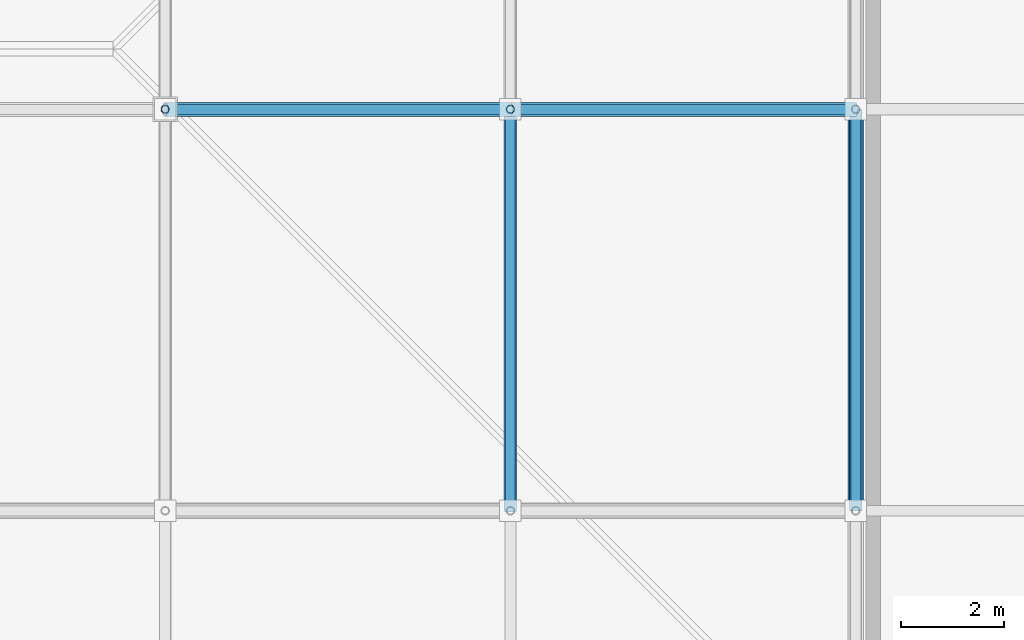
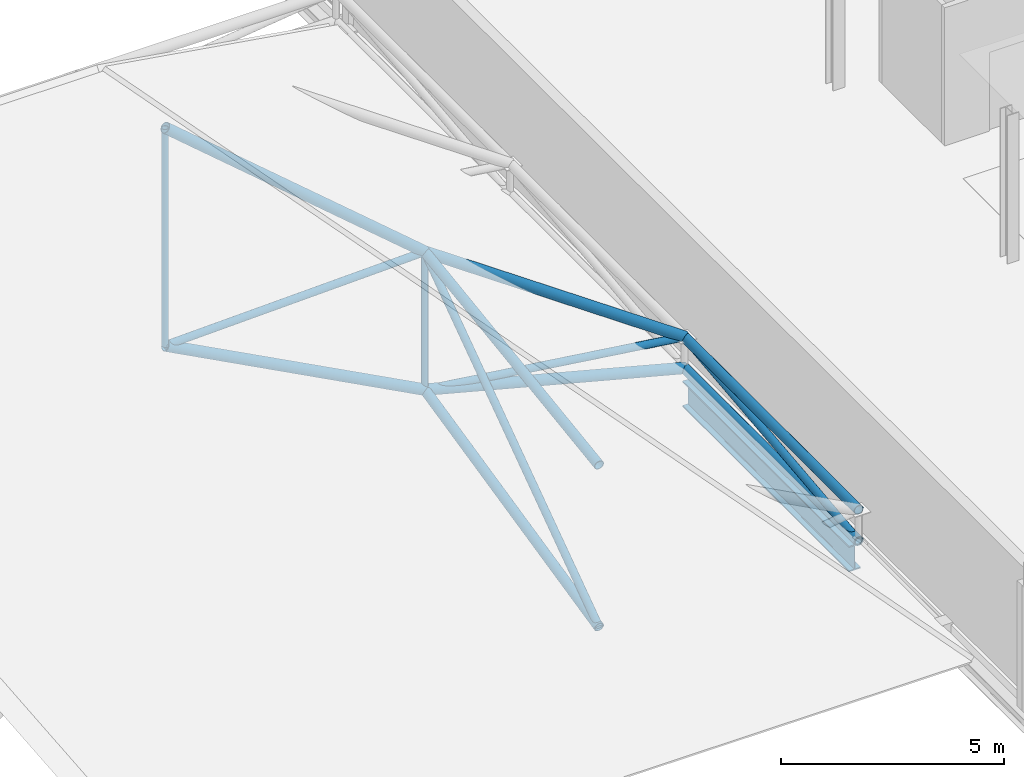
# One storey, part 34 of 77: 14 members, 1 beam.
"""IFC4 building model written with IfcOpenShell, lengths in metres."""

from ifc_helpers import new_model, si_unit, direction, frame, origin, origin_2d, place, context, subcontext, project, spatial, hollow_circle, i_section, extrude, material, material_profile, profile_set, type_object, element, save


model = new_model("IFC4")

# Units and contexts
model_context = context("Model", 3, precision=1e-05, world=origin(), true_north=direction((0.0, 1.0)))
body_context = subcontext(model_context, "Body", "Model", "MODEL_VIEW")
ifc_project = project(units=[si_unit("LENGTHUNIT", "METRE"), si_unit("AREAUNIT", "SQUARE_METRE"), si_unit("VOLUMEUNIT", "CUBIC_METRE"), si_unit("PLANEANGLEUNIT", "RADIAN"), si_unit("MASSUNIT", "GRAM", prefix="KILO")], contexts=[model_context])

# Site, building, storey
site_placement = place(None, origin())
site = spatial("IfcSite", under=ifc_project, at=site_placement, CompositionType="ELEMENT")
building_placement = place(site_placement, origin())
building = spatial("IfcBuilding", under=site, at=building_placement, Name="Nabrawat Pavilion Hospital", CompositionType="ELEMENT")
storey_placement = place(building_placement, frame((0.0, 0.0, 14.85009765625)))
storey = spatial("IfcBuildingStorey", under=building, at=storey_placement, Name="L03", CompositionType="ELEMENT", Elevation=14.85009765625)

# Beam
ifc_material = material(Name="Steel S355", Category="steel")
ifc_material_profile_1 = material_profile(ifc_material, i_section(OverallWidth=0.300048828125, OverallDepth=0.699951171875, WebThickness=0.01708984375, FlangeThickness=0.031982421875, FilletRadius=0.027099609375, at=origin_2d()), Name="HEB 700")
ifc_profile_set_1 = profile_set([ifc_material_profile_1], Name="Steel S355")
beam_type = type_object("IfcBeamType", Name="Main Hall Space-Frame Perimeter Ring Girder HEB 700", PredefinedType="USERDEFINED", material=ifc_profile_set_1)
beam_placement = place(storey_placement, frame((126.0, 15.773193359375, -0.60009765625), z_axis=(0.0, 1.0, 0.0), x_axis=(-1.0, 0.0, 0.0)))
element("IfcBeam", 1, at=beam_placement, inside=storey, type_object=beam_type, Name="L03 Main Hall Space-Frame Perimeter Ring Girder 1626", ObjectType="GIRDER", PredefinedType="USERDEFINED", context=body_context, shape_type="SweptSolid", body=[
    extrude(i_section(OverallWidth=0.300048828125, OverallDepth=0.699951171875, WebThickness=0.01708984375, FlangeThickness=0.031982421875, FilletRadius=0.027099609375, at=origin_2d()), origin(), (0.0, 0.0, 1.0), 7.45361328125),
])

# Members
ifc_material_profile_2 = material_profile(ifc_material, hollow_circle(Radius=0.136474609375, WallThickness=0.012451171875, at=origin_2d()), Name="CHS 273x12.5")
ifc_profile_set_2 = profile_set([ifc_material_profile_2], Name="Steel S355")
member_type_1 = type_object("IfcMemberType", Name="Space Frame Primary Chord CHS 273x12.5", PredefinedType="CHORD", material=ifc_profile_set_2)
member_1_placement = place(storey_placement, frame((112.583984375, 23.39990234375, 11.2099609375), z_axis=(0.760128837564, 0.0, -0.649772383457), x_axis=(0.0, 1.0, 0.0)))
element("IfcMember", 2, at=member_1_placement, inside=storey, type_object=member_type_1, Name="Space Frame Chord Top X 0208", PredefinedType="CHORD", context=body_context, shape_type="SweptSolid", body=[
    extrude(hollow_circle(Radius=0.136474609375, WallThickness=0.012451171875, at=origin_2d()), origin(), (0.0, 0.0, 1.0), 8.824951171875),
])
member_2_placement = place(storey_placement, frame((112.583984375, 23.39990234375, 5.260498046875), z_axis=(0.883563319524, 0.0, -0.468311712849), x_axis=(0.0, 1.0, 0.0)))
element("IfcMember", 3, at=member_2_placement, inside=storey, type_object=member_type_1, Name="Space Frame Chord Bottom X 0209", PredefinedType="CHORD", context=body_context, shape_type="SweptSolid", body=[
    extrude(hollow_circle(Radius=0.136474609375, WallThickness=0.012451171875, at=origin_2d()), origin(), (0.0, 0.0, 1.0), 7.592041015625),
])
member_3_placement = place(storey_placement, frame((119.2919921875, 23.39990234375, 5.475830078125), z_axis=(0.820355297851, 0.0, -0.571854164352), x_axis=(0.0, 1.0, 0.0)))
element("IfcMember", 4, at=member_3_placement, inside=storey, type_object=member_type_1, Name="Space Frame Chord Top X 0233", PredefinedType="CHORD", context=body_context, shape_type="SweptSolid", body=[
    extrude(hollow_circle(Radius=0.136474609375, WallThickness=0.012451171875, at=origin_2d()), origin(), (0.0, 0.0, 1.0), 8.177001953125),
])
member_4_placement = place(storey_placement, frame((119.2919921875, 23.39990234375, 1.705078125), z_axis=(0.967433425259, 0.0, -0.253125596673), x_axis=(0.0, 1.0, 0.0)))
element("IfcMember", 5, at=member_4_placement, inside=storey, type_object=member_type_1, Name="Space Frame Chord Bottom X 0234", PredefinedType="CHORD", context=body_context, shape_type="SweptSolid", body=[
    extrude(hollow_circle(Radius=0.136474609375, WallThickness=0.012451171875, at=origin_2d()), origin(), (0.0, 0.0, 1.0), 6.933837890625),
])
ifc_material_profile_3 = material_profile(ifc_material, hollow_circle(Radius=0.096923828125, WallThickness=0.010009765625, at=origin_2d()), Name="CHS 193.7x10")
ifc_profile_set_3 = profile_set([ifc_material_profile_3], Name="Steel S355")
member_type_2 = type_object("IfcMemberType", Name="Space Frame Primary Diagonal CHS 193.7x10", PredefinedType="BRACE", material=ifc_profile_set_3)
member_5_placement = place(storey_placement, frame((112.583984375, 23.39990234375, 5.260498046875), z_axis=(0.999485169016, 0.0, 0.032084216009), x_axis=(0.0, 1.0, 0.0)))
element("IfcMember", 6, at=member_5_placement, inside=storey, type_object=member_type_2, Name="Space Frame Diagonal Web X 0213", PredefinedType="BRACE", context=body_context, shape_type="SweptSolid", body=[
    extrude(hollow_circle(Radius=0.096923828125, WallThickness=0.010009765625, at=origin_2d()), origin(), (0.0, 0.0, 1.0), 6.71142578125),
])
member_6_placement = place(storey_placement, frame((119.2919921875, 15.60009765625, -0.050048828125), z_axis=(0.0, 0.815974282429, 0.578088202971), x_axis=(-1.0, 0.0, 0.0)))
element("IfcMember", 7, at=member_6_placement, inside=storey, type_object=member_type_2, Name="Space Frame Diagonal Web Y 0232", PredefinedType="BRACE", context=body_context, shape_type="SweptSolid", body=[
    extrude(hollow_circle(Radius=0.096923828125, WallThickness=0.010009765625, at=origin_2d()), origin(), (0.0, 0.0, 1.0), 9.558837890625),
])
member_7_placement = place(storey_placement, frame((119.2919921875, 23.39990234375, 1.705078125), z_axis=(0.991016218885, 0.0, -0.133741743326), x_axis=(0.0, 1.0, 0.0)))
element("IfcMember", 8, at=member_7_placement, inside=storey, type_object=member_type_2, Name="Space Frame Diagonal Web X 0238", PredefinedType="BRACE", context=body_context, shape_type="SweptSolid", body=[
    extrude(hollow_circle(Radius=0.096923828125, WallThickness=0.010009765625, at=origin_2d()), origin(), (0.0, 0.0, 1.0), 6.768798828125),
])
member_8_placement = place(storey_placement, frame((126.0, 15.60009765625, -0.050048828125), z_axis=(0.0, 0.99411637949, 0.108317237918), x_axis=(-1.0, 0.0, 0.0)))
element("IfcMember", 9, at=member_8_placement, inside=storey, type_object=member_type_2, Name="Space Frame Diagonal Web Y 0254", PredefinedType="BRACE", context=body_context, shape_type="SweptSolid", body=[
    extrude(hollow_circle(Radius=0.096923828125, WallThickness=0.010009765625, at=origin_2d()), origin(), (0.0, 0.0, 1.0), 7.845947265625),
])
ifc_material_profile_4 = material_profile(ifc_material, hollow_circle(Radius=0.122314453125, WallThickness=0.012451171875, at=origin_2d()), Name="CHS 244.5x12.5")
ifc_profile_set_4 = profile_set([ifc_material_profile_4], Name="Steel S355")
member_type_3 = type_object("IfcMemberType", Name="Space Frame Transverse Chord CHS 244.5x12.5", PredefinedType="CHORD", material=ifc_profile_set_4)
member_9_placement = place(storey_placement, frame((119.2919921875, 15.60009765625, 4.373046875), z_axis=(0.0, 0.990152395884, 0.139993688876), x_axis=(-1.0, 0.0, 0.0)))
element("IfcMember", 10, at=member_9_placement, inside=storey, type_object=member_type_3, Name="Space Frame Chord Top Y 0228", PredefinedType="CHORD", context=body_context, shape_type="SweptSolid", body=[
    extrude(hollow_circle(Radius=0.122314453125, WallThickness=0.012451171875, at=origin_2d()), origin(), (0.0, 0.0, 1.0), 7.87744140625),
])
member_10_placement = place(storey_placement, frame((119.2919921875, 15.60009765625, -0.050048828125), z_axis=(0.0, 0.975605178018, 0.219532541153), x_axis=(-1.0, 0.0, 0.0)))
element("IfcMember", 11, at=member_10_placement, inside=storey, type_object=member_type_3, Name="Space Frame Chord Bottom Y 0229", PredefinedType="CHORD", context=body_context, shape_type="SweptSolid", body=[
    extrude(hollow_circle(Radius=0.122314453125, WallThickness=0.012451171875, at=origin_2d()), origin(), (0.0, 0.0, 1.0), 7.994873046875),
])
for number, where, z_axis, x_axis, name in (
    (12, (126.0, 15.60009765625, 0.7998046875), (0.0, 1.0, 0.0), (-1.0, 0.0, 0.0), "Space Frame Chord Top Y 0251"),
    (13, (126.0, 15.60009765625, -0.050048828125), (0.0, 1.0, 0.0), (-1.0, 0.0, 0.0), "Space Frame Chord Bottom Y 0252"),
):
    element("IfcMember", number, at=place(storey_placement, frame(where, z_axis=z_axis, x_axis=x_axis)), inside=storey, type_object=member_type_3, Name=name, PredefinedType="CHORD", context=body_context, shape_type="SweptSolid", body=[
        extrude(hollow_circle(Radius=0.122314453125, WallThickness=0.012451171875, at=origin_2d()), origin(), (0.0, 0.0, 1.0), 7.7998046875),
    ])
ifc_material_profile_5 = material_profile(ifc_material, hollow_circle(Radius=0.07958984375, WallThickness=0.008056640625, at=origin_2d()), Name="CHS 159x8")
ifc_profile_set_5 = profile_set([ifc_material_profile_5], Name="Steel S355")
member_type_4 = type_object("IfcMemberType", Name="Space Frame Vertical Web Post CHS 159x8", PredefinedType="BRACE", material=ifc_profile_set_5)
member_11_placement = place(storey_placement, frame((112.583984375, 23.39990234375, 5.260498046875), z_axis=(0.0, 0.0, 1.0), x_axis=(1.0, 0.0, 0.0)))
element("IfcMember", 14, at=member_11_placement, inside=storey, type_object=member_type_4, Name="Space Frame Diagonal Post 0212", PredefinedType="BRACE", context=body_context, shape_type="SweptSolid", body=[
    extrude(hollow_circle(Radius=0.07958984375, WallThickness=0.008056640625, at=origin_2d()), origin(), (0.0, 0.0, 1.0), 5.949462890625),
])
member_12_placement = place(storey_placement, frame((119.2919921875, 23.39990234375, 1.705078125), z_axis=(0.0, 0.0, 1.0), x_axis=(1.0, 0.0, 0.0)))
element("IfcMember", 15, at=member_12_placement, inside=storey, type_object=member_type_4, Name="Space Frame Diagonal Post 0237", PredefinedType="BRACE", context=body_context, shape_type="SweptSolid", body=[
    extrude(hollow_circle(Radius=0.07958984375, WallThickness=0.008056640625, at=origin_2d()), origin(), (0.0, 0.0, 1.0), 3.770751953125),
])

save(model, "model.ifc")
